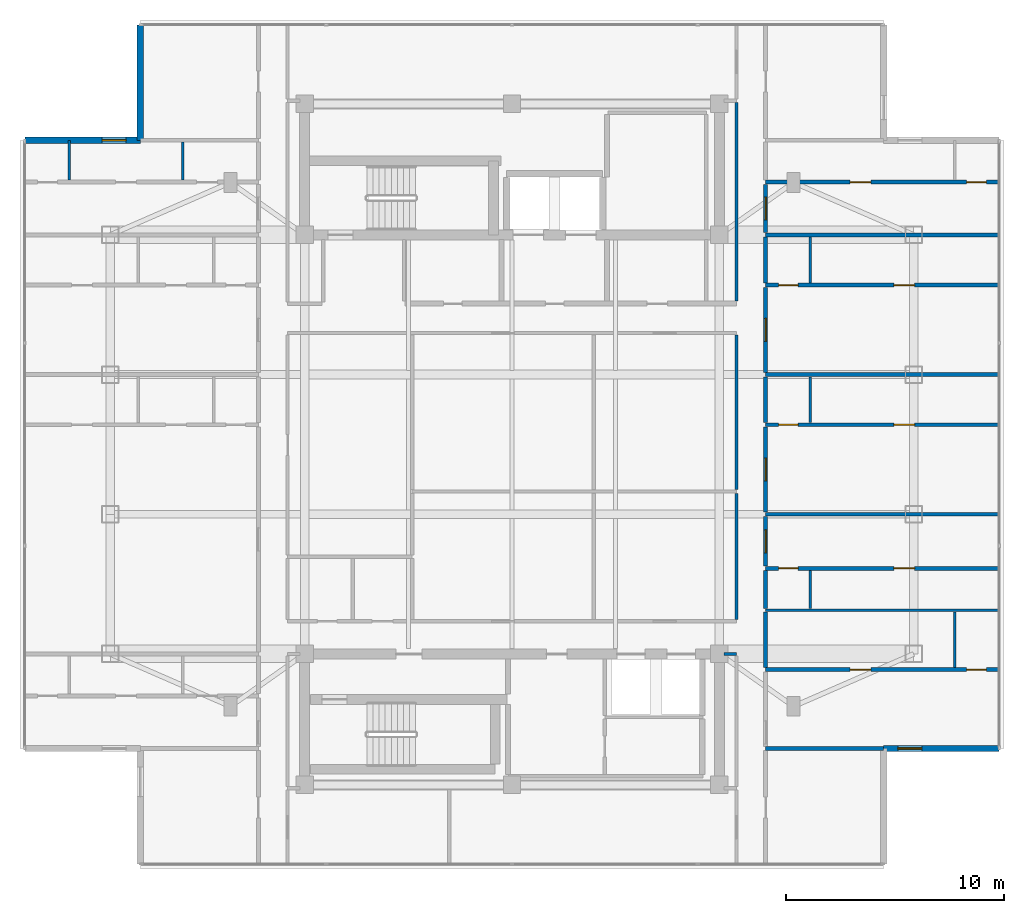
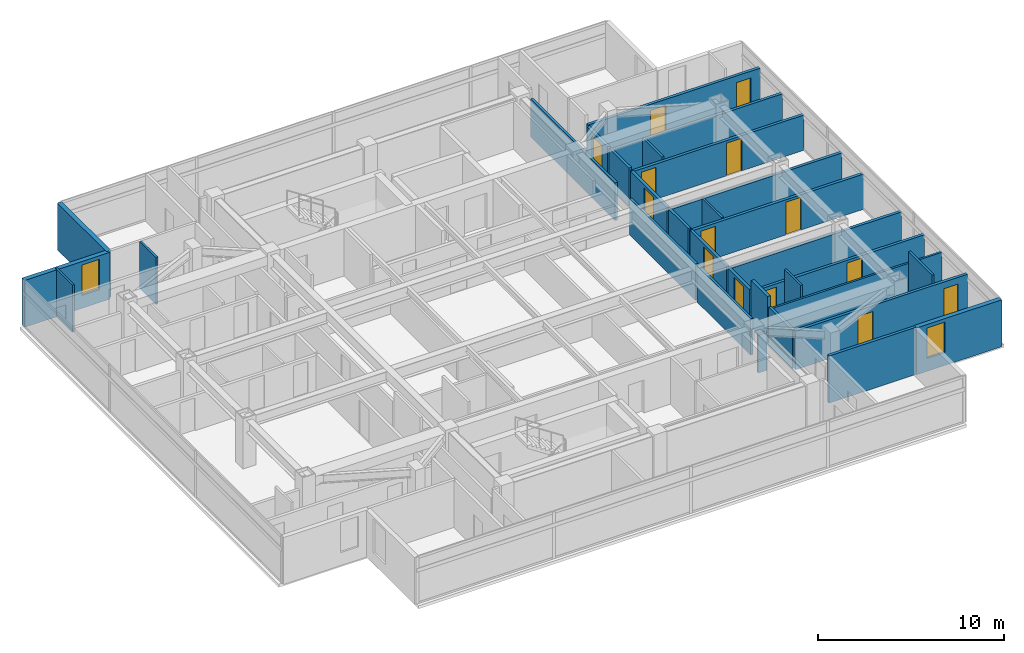
# One storey, part 10 of 14: 31 walls, 14 doors, 2 windows, 16 openings.
"""IFC4 building model written with IfcOpenShell, lengths in metres."""

from ifc_helpers import new_model, si_unit, direction, frame, frame_2d, origin, place, context, subcontext, project, spatial, rectangle, extrude, material, layer, layer_set, type_object, element, fill, save


model = new_model("IFC4")

# Units and contexts
model_context = context("Model", 3, precision=1e-05, world=origin(), true_north=direction((0.0, 1.0)))
body_context = subcontext(model_context, "Body", "Model", "MODEL_VIEW")
ifc_project = project(units=[si_unit("LENGTHUNIT", "METRE"), si_unit("AREAUNIT", "SQUARE_METRE"), si_unit("VOLUMEUNIT", "CUBIC_METRE"), si_unit("PLANEANGLEUNIT", "RADIAN"), si_unit("MASSUNIT", "GRAM", prefix="KILO")], contexts=[model_context])

# Site, building, storey
site_placement = place(None, origin())
site = spatial("IfcSite", under=ifc_project, at=site_placement, CompositionType="ELEMENT")
building_placement = place(site_placement, origin())
building = spatial("IfcBuilding", under=site, at=building_placement, Name="Mirazonda Arch Towers", CompositionType="ELEMENT")
storey_placement = place(building_placement, frame((0.0, 0.0, 245.800048828125)))
storey = spatial("IfcBuildingStorey", under=building, at=storey_placement, Name="L70", CompositionType="ELEMENT", Elevation=245.800048828125)

# Wall, opening, window
ifc_material_1 = material(Name="Precast Concrete C40/50", Category="concrete")
ifc_layer_1 = layer(ifc_material_1, 0.280029296875, Name="WALL-EXT-WALL-280")
ifc_layer_set_1 = layer_set([ifc_layer_1], Name="Precast Concrete C40/50")
wall_type_1 = type_object("IfcWallType", Name="WALL-EXT-WALL-280", PredefinedType="SOLIDWALL", material=ifc_layer_set_1)
wall_1_placement = place(storey_placement, frame((37.530029296875, 14.06591796875, 0.0), z_axis=(0.0, 0.0, 1.0), x_axis=(1.0, 0.0, 0.0)))
wall_1 = element("IfcWall", 1, at=wall_1_placement, inside=storey, type_object=wall_type_1, Name="L70 T1 Corner Notch Return Wall WL-L70-T1-CSE1", PredefinedType="SOLIDWALL", context=body_context, shape_type="SweptSolid", body=[
    extrude(rectangle(XDim=5.2900390625, YDim=0.280029296875, at=frame_2d((2.64501953125, 0.0))), origin(), (0.0, 0.0, 1.0), 3.079833984375),
])
opening_1_placement = place(wall_1_placement, frame((0.64990234375, 0.0, 0.85009765625)))
opening_1 = element("IfcOpeningElement", 2, at=opening_1_placement, cuts=wall_1, Name="Opening WN-108", PredefinedType="OPENING", context=body_context, shape_type="SweptSolid", body=[
    extrude(rectangle(XDim=1.10009765625, YDim=2.0, at=frame_2d((0.550048828125, 1.0))), frame((0.0, 0.14990234375, 0.0), z_axis=(0.0, -1.0, 0.0), x_axis=(1.0, 0.0, 0.0)), (0.0, 0.0, 1.0), 0.300048828125),
])
ifc_material_2 = material(Name="Insulated Low-E Solar Glass", Category="glass")
window_type = type_object("IfcWindowType", Name="WIN-NOTCH-1100x2000", PartitioningType="SINGLE_PANEL", PredefinedType="WINDOW", material=ifc_material_2)
window_1_placement = place(opening_1_placement, origin())
window_1 = element("IfcWindow", 3, at=window_1_placement, inside=storey, type_object=window_type, Name="L70 Punched Facade Window WN-L70-T1-CSE1", OverallHeight=2.0, OverallWidth=1.10009765625, PartitioningType="SINGLE_PANEL", PredefinedType="WINDOW", context=body_context, shape_type="SweptSolid", body=[
    extrude(rectangle(XDim=1.10009765625, YDim=2.0, at=frame_2d((0.550048828125, 1.0))), frame((0.0, 0.030029296875, 0.0), z_axis=(0.0, -1.0, 0.0), x_axis=(1.0, 0.0, 0.0)), (0.0, 0.0, 1.0), 0.06005859375),
])
fill(opening_1, window_1)

wall_2_placement = place(storey_placement, frame((3.469970703125, 41.93408203125, 0.0), z_axis=(0.0, 0.0, 1.0), x_axis=(-1.0, 0.0, 0.0)))
wall_2 = element("IfcWall", 4, at=wall_2_placement, inside=storey, type_object=wall_type_1, Name="L70 T1 Corner Notch Return Wall WL-L70-T1-CNW1", PredefinedType="SOLIDWALL", context=body_context, shape_type="SweptSolid", body=[
    extrude(rectangle(XDim=5.2900390625, YDim=0.280029296875, at=frame_2d((2.64501953125, 0.0))), origin(), (0.0, 0.0, 1.0), 3.079833984375),
])
opening_2_placement = place(wall_2_placement, frame((0.64990234375, 0.0, 0.85009765625)))
opening_2 = element("IfcOpeningElement", 5, at=opening_2_placement, cuts=wall_2, Name="Opening WN-108", PredefinedType="OPENING", context=body_context, shape_type="SweptSolid", body=[
    extrude(rectangle(XDim=1.10009765625, YDim=2.0, at=frame_2d((0.550048828125, 1.0))), frame((0.0, 0.14990234375, 0.0), z_axis=(0.0, -1.0, 0.0), x_axis=(1.0, 0.0, 0.0)), (0.0, 0.0, 1.0), 0.300048828125),
])
window_2_placement = place(opening_2_placement, origin())
window_2 = element("IfcWindow", 6, at=window_2_placement, inside=storey, type_object=window_type, Name="L70 Punched Facade Window WN-L70-T1-CNW1", OverallHeight=2.0, OverallWidth=1.10009765625, PartitioningType="SINGLE_PANEL", PredefinedType="WINDOW", context=body_context, shape_type="SweptSolid", body=[
    extrude(rectangle(XDim=1.10009765625, YDim=2.0, at=frame_2d((0.550048828125, 1.0))), frame((0.0, 0.030029296875, 0.0), z_axis=(0.0, -1.0, 0.0), x_axis=(1.0, 0.0, 0.0)), (0.0, 0.0, 1.0), 0.06005859375),
])
fill(opening_2, window_2)

# Walls
wall_3_placement = place(storey_placement, frame((3.469970703125, 47.22412109375, 0.0), z_axis=(0.0, 0.0, 1.0), x_axis=(0.0, -1.0, 0.0)))
element("IfcWall", 7, at=wall_3_placement, inside=storey, type_object=wall_type_1, Name="L70 T1 Corner Notch Return Wall WL-L70-T1-CNW2", PredefinedType="SOLIDWALL", context=body_context, shape_type="SweptSolid", body=[
    extrude(rectangle(XDim=5.2900390625, YDim=0.280029296875, at=frame_2d((2.64501953125, 0.0))), origin(), (0.0, 0.0, 1.0), 3.079833984375),
])
ifc_material_3 = material(Name="Fire-Rated Gypsum Stud Partition")
ifc_layer_2 = layer(ifc_material_3, 0.14990234375, Name="WALL-PART-CORR-150")
ifc_layer_set_2 = layer_set([ifc_layer_2], Name="Fire-Rated Gypsum Stud Partition")
wall_type_2 = type_object("IfcWallType", Name="WALL-PART-CORR-150", PredefinedType="PARTITIONING", material=ifc_layer_set_2)
wall_4_placement = place(storey_placement, frame((30.219970703125, 18.39990234375, 0.0), z_axis=(0.0, 0.0, 1.0), x_axis=(1.0, 0.0, 0.0)))
element("IfcWall", 8, at=wall_4_placement, inside=storey, type_object=wall_type_2, Name="L70 Interior Partition 013", PredefinedType="PARTITIONING", context=body_context, shape_type="SweptSolid", body=[
    extrude(rectangle(XDim=0.56005859375, YDim=0.14990234375, at=frame_2d((0.280029296875, 0.0))), origin(), (0.0, 0.0, 1.0), 2.491943359375),
])
wall_5_placement = place(storey_placement, frame((30.780029296875, 19.985107421875, 0.0), z_axis=(0.0, 0.0, 1.0), x_axis=(0.0, 1.0, 0.0)))
element("IfcWall", 9, at=wall_5_placement, inside=storey, type_object=wall_type_2, Name="L70 Interior Partition 088", PredefinedType="PARTITIONING", context=body_context, shape_type="SweptSolid", body=[
    extrude(rectangle(XDim=5.769775390625, YDim=0.14990234375, at=frame_2d((2.884765625, 0.0))), origin(), (0.0, 0.0, 1.0), 2.39599609375),
])
wall_6_placement = place(storey_placement, frame((30.780029296875, 25.925048828125, 0.0), z_axis=(0.0, 0.0, 1.0), x_axis=(0.0, 1.0, 0.0)))
element("IfcWall", 10, at=wall_6_placement, inside=storey, type_object=wall_type_2, Name="L70 Interior Partition 089", PredefinedType="PARTITIONING", context=body_context, shape_type="SweptSolid", body=[
    extrude(rectangle(XDim=7.08984375, YDim=0.14990234375, at=frame_2d((3.544921875, 0.0))), origin(), (0.0, 0.0, 1.0), 2.39599609375),
])
wall_7_placement = place(storey_placement, frame((30.780029296875, 34.570068359375, 0.0), z_axis=(0.0, 0.0, 1.0), x_axis=(0.0, 1.0, 0.0)))
element("IfcWall", 11, at=wall_7_placement, inside=storey, type_object=wall_type_2, Name="L70 Interior Partition 090", PredefinedType="PARTITIONING", context=body_context, shape_type="SweptSolid", body=[
    extrude(rectangle(XDim=9.094970703125, YDim=0.14990234375, at=frame_2d((4.54736328125, 0.0))), origin(), (0.0, 0.0, 1.0), 2.491943359375),
])
ifc_material_4 = material(Name="Fire-Rated Gypsum Twin-Stud Assembly")
ifc_layer_3 = layer(ifc_material_4, 0.179931640625, Name="WALL-PART-DEMISE-180")
ifc_layer_set_3 = layer_set([ifc_layer_3], Name="Fire-Rated Gypsum Twin-Stud Assembly")
wall_type_3 = type_object("IfcWallType", Name="WALL-PART-DEMISE-180", PredefinedType="PARTITIONING", material=ifc_layer_set_3)
wall_8_placement = place(storey_placement, frame((32.1201171875, 14.06591796875, 0.0), z_axis=(0.0, 0.0, 1.0), x_axis=(1.0, 0.0, 0.0)))
element("IfcWall", 12, at=wall_8_placement, inside=storey, type_object=wall_type_3, Name="L70 Interior Partition 006", PredefinedType="PARTITIONING", context=body_context, shape_type="SweptSolid", body=[
    extrude(rectangle(XDim=5.389892578125, YDim=0.179931640625, at=frame_2d((2.69482421875, 0.0))), origin(), (0.0, 0.0, 1.0), 3.099853515625),
])

# Wall, openings, doors
wall_9_placement = place(storey_placement, frame((32.1201171875, 17.679931640625, 0.0), z_axis=(0.0, 0.0, 1.0), x_axis=(1.0, 0.0, 0.0)))
wall_9 = element("IfcWall", 13, at=wall_9_placement, inside=storey, type_object=wall_type_3, Name="L70 Interior Partition 010", PredefinedType="PARTITIONING", context=body_context, shape_type="SweptSolid", body=[
    extrude(rectangle(XDim=10.699951171875, YDim=0.179931640625, at=frame_2d((5.35009765625, 0.0))), origin(), (0.0, 0.0, 1.0), 2.54296875),
])
opening_3_placement = place(wall_9_placement, frame((3.875, 0.0, 0.0)))
opening_3 = element("IfcOpeningElement", 14, at=opening_3_placement, cuts=wall_9, Name="Opening DR-104", PredefinedType="OPENING", context=body_context, shape_type="SweptSolid", body=[
    extrude(rectangle(XDim=0.949951171875, YDim=2.14990234375, at=frame_2d((0.47509765625, 1.074951171875))), frame((0.0, 0.099853515625, 0.0), z_axis=(0.0, -1.0, 0.0), x_axis=(1.0, 0.0, 0.0)), (0.0, 0.0, 1.0), 0.199951171875),
])
opening_4_placement = place(wall_9_placement, frame((9.2099609375, 0.0, 0.0)))
opening_4 = element("IfcOpeningElement", 15, at=opening_4_placement, cuts=wall_9, Name="Opening DR-120", PredefinedType="OPENING", context=body_context, shape_type="SweptSolid", body=[
    extrude(rectangle(XDim=0.89990234375, YDim=2.10009765625, at=frame_2d((0.449951171875, 1.050048828125))), frame((0.0, 0.099853515625, 0.0), z_axis=(0.0, -1.0, 0.0), x_axis=(1.0, 0.0, 0.0)), (0.0, 0.0, 1.0), 0.199951171875),
])
ifc_material_5 = material(Name="Architectural Brushed Steel S355", Category="steel")
door_type_1 = type_object("IfcDoorType", Name="DOOR-ROOM-950", OperationType="NOTDEFINED", PredefinedType="DOOR", material=ifc_material_5)
door_1_placement = place(opening_3_placement, origin())
door_1 = element("IfcDoor", 16, at=door_1_placement, inside=storey, type_object=door_type_1, Name="L70 Studio 1 Galley Kitchen Door", OperationType="SINGLE_SWING_RIGHT", OverallHeight=2.14990234375, OverallWidth=0.949951171875, PredefinedType="DOOR", context=body_context, shape_type="SweptSolid", body=[
    extrude(rectangle(XDim=0.949951171875, YDim=2.14990234375, at=frame_2d((0.47509765625, 1.074951171875))), frame((0.0, 0.02490234375, 0.0), z_axis=(0.0, -1.0, 0.0), x_axis=(1.0, 0.0, 0.0)), (0.0, 0.0, 1.0), 0.050048828125),
])
fill(opening_3, door_1)
door_type_2 = type_object("IfcDoorType", Name="DOOR-WC-900", OperationType="NOTDEFINED", PredefinedType="DOOR", material=ifc_material_5)
door_2_placement = place(opening_4_placement, origin())
door_2 = element("IfcDoor", 17, at=door_2_placement, inside=storey, type_object=door_type_2, Name="L70 Studio 1 Bathroom Door", OperationType="SINGLE_SWING_LEFT", OverallHeight=2.10009765625, OverallWidth=0.89990234375, PredefinedType="DOOR", context=body_context, shape_type="SweptSolid", body=[
    extrude(rectangle(XDim=0.89990234375, YDim=2.10009765625, at=frame_2d((0.449951171875, 1.050048828125))), frame((0.0, 0.02490234375, 0.0), z_axis=(0.0, -1.0, 0.0), x_axis=(1.0, 0.0, 0.0)), (0.0, 0.0, 1.0), 0.050048828125),
])
fill(opening_4, door_2)

wall_10_placement = place(storey_placement, frame((32.1201171875, 22.320068359375, 0.0), z_axis=(0.0, 0.0, 1.0), x_axis=(1.0, 0.0, 0.0)))
wall_10 = element("IfcWall", 18, at=wall_10_placement, inside=storey, type_object=wall_type_3, Name="L70 Interior Partition 016", PredefinedType="PARTITIONING", context=body_context, shape_type="SweptSolid", body=[
    extrude(rectangle(XDim=10.699951171875, YDim=0.179931640625, at=frame_2d((5.35009765625, 0.0))), origin(), (0.0, 0.0, 1.0), 2.31884765625),
])
opening_5_placement = place(wall_10_placement, frame((5.875, 0.0, 0.0)))
opening_5 = element("IfcOpeningElement", 19, at=opening_5_placement, cuts=wall_10, Name="Opening DR-104", PredefinedType="OPENING", context=body_context, shape_type="SweptSolid", body=[
    extrude(rectangle(XDim=0.949951171875, YDim=2.14990234375, at=frame_2d((0.47509765625, 1.074951171875))), frame((0.0, 0.099853515625, 0.0), z_axis=(0.0, -1.0, 0.0), x_axis=(1.0, 0.0, 0.0)), (0.0, 0.0, 1.0), 0.199951171875),
])
opening_6_placement = place(wall_10_placement, frame((0.590087890625, 0.0, 0.0)))
opening_6 = element("IfcOpeningElement", 20, at=opening_6_placement, cuts=wall_10, Name="Opening DR-120", PredefinedType="OPENING", context=body_context, shape_type="SweptSolid", body=[
    extrude(rectangle(XDim=0.89990234375, YDim=2.10009765625, at=frame_2d((0.449951171875, 1.050048828125))), frame((0.0, 0.099853515625, 0.0), z_axis=(0.0, -1.0, 0.0), x_axis=(1.0, 0.0, 0.0)), (0.0, 0.0, 1.0), 0.199951171875),
])
door_3_placement = place(opening_5_placement, origin())
door_3 = element("IfcDoor", 21, at=door_3_placement, inside=storey, type_object=door_type_1, Name="L70 Studio 2 Galley Kitchen Door", OperationType="SINGLE_SWING_LEFT", OverallHeight=2.14990234375, OverallWidth=0.949951171875, PredefinedType="DOOR", context=body_context, shape_type="SweptSolid", body=[
    extrude(rectangle(XDim=0.949951171875, YDim=2.14990234375, at=frame_2d((0.47509765625, 1.074951171875))), frame((0.0, 0.02490234375, 0.0), z_axis=(0.0, -1.0, 0.0), x_axis=(1.0, 0.0, 0.0)), (0.0, 0.0, 1.0), 0.050048828125),
])
fill(opening_5, door_3)
door_4_placement = place(opening_6_placement, origin())
door_4 = element("IfcDoor", 22, at=door_4_placement, inside=storey, type_object=door_type_2, Name="L70 Studio 2 Bathroom Door", OperationType="SINGLE_SWING_RIGHT", OverallHeight=2.10009765625, OverallWidth=0.89990234375, PredefinedType="DOOR", context=body_context, shape_type="SweptSolid", body=[
    extrude(rectangle(XDim=0.89990234375, YDim=2.10009765625, at=frame_2d((0.449951171875, 1.050048828125))), frame((0.0, 0.02490234375, 0.0), z_axis=(0.0, -1.0, 0.0), x_axis=(1.0, 0.0, 0.0)), (0.0, 0.0, 1.0), 0.050048828125),
])
fill(opening_6, door_4)

# Wall
wall_11_placement = place(storey_placement, frame((32.1201171875, 24.800048828125, 0.0), z_axis=(0.0, 0.0, 1.0), x_axis=(1.0, 0.0, 0.0)))
element("IfcWall", 23, at=wall_11_placement, inside=storey, type_object=wall_type_3, Name="L70 Interior Partition 018", PredefinedType="PARTITIONING", context=body_context, shape_type="SweptSolid", body=[
    extrude(rectangle(XDim=10.699951171875, YDim=0.179931640625, at=frame_2d((5.35009765625, 0.0))), origin(), (0.0, 0.0, 1.0), 2.31884765625),
])

# Wall, openings, doors
wall_12_placement = place(storey_placement, frame((32.1201171875, 28.89990234375, 0.0), z_axis=(0.0, 0.0, 1.0), x_axis=(1.0, 0.0, 0.0)))
wall_12 = element("IfcWall", 24, at=wall_12_placement, inside=storey, type_object=wall_type_3, Name="L70 Interior Partition 021", PredefinedType="PARTITIONING", context=body_context, shape_type="SweptSolid", body=[
    extrude(rectangle(XDim=10.699951171875, YDim=0.179931640625, at=frame_2d((5.35009765625, 0.0))), origin(), (0.0, 0.0, 1.0), 2.31884765625),
])
opening_7_placement = place(wall_12_placement, frame((5.875, 0.0, 0.0)))
opening_7 = element("IfcOpeningElement", 25, at=opening_7_placement, cuts=wall_12, Name="Opening DR-104", PredefinedType="OPENING", context=body_context, shape_type="SweptSolid", body=[
    extrude(rectangle(XDim=0.949951171875, YDim=2.14990234375, at=frame_2d((0.47509765625, 1.074951171875))), frame((0.0, 0.099853515625, 0.0), z_axis=(0.0, -1.0, 0.0), x_axis=(1.0, 0.0, 0.0)), (0.0, 0.0, 1.0), 0.199951171875),
])
opening_8_placement = place(wall_12_placement, frame((0.590087890625, 0.0, 0.0)))
opening_8 = element("IfcOpeningElement", 26, at=opening_8_placement, cuts=wall_12, Name="Opening DR-120", PredefinedType="OPENING", context=body_context, shape_type="SweptSolid", body=[
    extrude(rectangle(XDim=0.89990234375, YDim=2.10009765625, at=frame_2d((0.449951171875, 1.050048828125))), frame((0.0, 0.099853515625, 0.0), z_axis=(0.0, -1.0, 0.0), x_axis=(1.0, 0.0, 0.0)), (0.0, 0.0, 1.0), 0.199951171875),
])
door_5_placement = place(opening_7_placement, origin())
door_5 = element("IfcDoor", 27, at=door_5_placement, inside=storey, type_object=door_type_1, Name="L70 Studio 3 Galley Kitchen Door", OperationType="SINGLE_SWING_RIGHT", OverallHeight=2.14990234375, OverallWidth=0.949951171875, PredefinedType="DOOR", context=body_context, shape_type="SweptSolid", body=[
    extrude(rectangle(XDim=0.949951171875, YDim=2.14990234375, at=frame_2d((0.47509765625, 1.074951171875))), frame((0.0, 0.02490234375, 0.0), z_axis=(0.0, -1.0, 0.0), x_axis=(1.0, 0.0, 0.0)), (0.0, 0.0, 1.0), 0.050048828125),
])
fill(opening_7, door_5)
door_6_placement = place(opening_8_placement, origin())
door_6 = element("IfcDoor", 28, at=door_6_placement, inside=storey, type_object=door_type_2, Name="L70 Studio 3 Bathroom Door", OperationType="SINGLE_SWING_LEFT", OverallHeight=2.10009765625, OverallWidth=0.89990234375, PredefinedType="DOOR", context=body_context, shape_type="SweptSolid", body=[
    extrude(rectangle(XDim=0.89990234375, YDim=2.10009765625, at=frame_2d((0.449951171875, 1.050048828125))), frame((0.0, 0.02490234375, 0.0), z_axis=(0.0, -1.0, 0.0), x_axis=(1.0, 0.0, 0.0)), (0.0, 0.0, 1.0), 0.050048828125),
])
fill(opening_8, door_6)

# Wall
wall_13_placement = place(storey_placement, frame((32.1201171875, 31.199951171875, 0.0), z_axis=(0.0, 0.0, 1.0), x_axis=(1.0, 0.0, 0.0)))
element("IfcWall", 29, at=wall_13_placement, inside=storey, type_object=wall_type_3, Name="L70 Interior Partition 023", PredefinedType="PARTITIONING", context=body_context, shape_type="SweptSolid", body=[
    extrude(rectangle(XDim=10.699951171875, YDim=0.179931640625, at=frame_2d((5.35009765625, 0.0))), origin(), (0.0, 0.0, 1.0), 2.31884765625),
])

# Wall, openings, doors
wall_14_placement = place(storey_placement, frame((32.1201171875, 35.300048828125, 0.0), z_axis=(0.0, 0.0, 1.0), x_axis=(1.0, 0.0, 0.0)))
wall_14 = element("IfcWall", 30, at=wall_14_placement, inside=storey, type_object=wall_type_3, Name="L70 Interior Partition 028", PredefinedType="PARTITIONING", context=body_context, shape_type="SweptSolid", body=[
    extrude(rectangle(XDim=10.699951171875, YDim=0.179931640625, at=frame_2d((5.35009765625, 0.0))), origin(), (0.0, 0.0, 1.0), 2.31884765625),
])
opening_9_placement = place(wall_14_placement, frame((5.875, 0.0, 0.0)))
opening_9 = element("IfcOpeningElement", 31, at=opening_9_placement, cuts=wall_14, Name="Opening DR-104", PredefinedType="OPENING", context=body_context, shape_type="SweptSolid", body=[
    extrude(rectangle(XDim=0.949951171875, YDim=2.14990234375, at=frame_2d((0.47509765625, 1.074951171875))), frame((0.0, 0.099853515625, 0.0), z_axis=(0.0, -1.0, 0.0), x_axis=(1.0, 0.0, 0.0)), (0.0, 0.0, 1.0), 0.199951171875),
])
opening_10_placement = place(wall_14_placement, frame((0.590087890625, 0.0, 0.0)))
opening_10 = element("IfcOpeningElement", 32, at=opening_10_placement, cuts=wall_14, Name="Opening DR-120", PredefinedType="OPENING", context=body_context, shape_type="SweptSolid", body=[
    extrude(rectangle(XDim=0.89990234375, YDim=2.10009765625, at=frame_2d((0.449951171875, 1.050048828125))), frame((0.0, 0.099853515625, 0.0), z_axis=(0.0, -1.0, 0.0), x_axis=(1.0, 0.0, 0.0)), (0.0, 0.0, 1.0), 0.199951171875),
])
door_7_placement = place(opening_9_placement, origin())
door_7 = element("IfcDoor", 33, at=door_7_placement, inside=storey, type_object=door_type_1, Name="L70 Studio 4 Galley Kitchen Door", OperationType="SINGLE_SWING_LEFT", OverallHeight=2.14990234375, OverallWidth=0.949951171875, PredefinedType="DOOR", context=body_context, shape_type="SweptSolid", body=[
    extrude(rectangle(XDim=0.949951171875, YDim=2.14990234375, at=frame_2d((0.47509765625, 1.074951171875))), frame((0.0, 0.02490234375, 0.0), z_axis=(0.0, -1.0, 0.0), x_axis=(1.0, 0.0, 0.0)), (0.0, 0.0, 1.0), 0.050048828125),
])
fill(opening_9, door_7)
door_8_placement = place(opening_10_placement, origin())
door_8 = element("IfcDoor", 34, at=door_8_placement, inside=storey, type_object=door_type_2, Name="L70 Studio 4 Bathroom Door", OperationType="SINGLE_SWING_RIGHT", OverallHeight=2.10009765625, OverallWidth=0.89990234375, PredefinedType="DOOR", context=body_context, shape_type="SweptSolid", body=[
    extrude(rectangle(XDim=0.89990234375, YDim=2.10009765625, at=frame_2d((0.449951171875, 1.050048828125))), frame((0.0, 0.02490234375, 0.0), z_axis=(0.0, -1.0, 0.0), x_axis=(1.0, 0.0, 0.0)), (0.0, 0.0, 1.0), 0.050048828125),
])
fill(opening_10, door_8)

# Wall
wall_15_placement = place(storey_placement, frame((32.1201171875, 37.60009765625, 0.0), z_axis=(0.0, 0.0, 1.0), x_axis=(1.0, 0.0, 0.0)))
element("IfcWall", 35, at=wall_15_placement, inside=storey, type_object=wall_type_3, Name="L70 Interior Partition 030", PredefinedType="PARTITIONING", context=body_context, shape_type="SweptSolid", body=[
    extrude(rectangle(XDim=10.699951171875, YDim=0.179931640625, at=frame_2d((5.35009765625, 0.0))), origin(), (0.0, 0.0, 1.0), 2.31884765625),
])

# Wall, openings, doors
wall_16_placement = place(storey_placement, frame((32.1201171875, 40.013916015625, 0.0), z_axis=(0.0, 0.0, 1.0), x_axis=(1.0, 0.0, 0.0)))
wall_16 = element("IfcWall", 36, at=wall_16_placement, inside=storey, type_object=wall_type_3, Name="L70 Interior Partition 032", PredefinedType="PARTITIONING", context=body_context, shape_type="SweptSolid", body=[
    extrude(rectangle(XDim=10.699951171875, YDim=0.179931640625, at=frame_2d((5.35009765625, 0.0))), origin(), (0.0, 0.0, 1.0), 2.54296875),
])
opening_11_placement = place(wall_16_placement, frame((3.875, 0.0, 0.0)))
opening_11 = element("IfcOpeningElement", 37, at=opening_11_placement, cuts=wall_16, Name="Opening DR-104", PredefinedType="OPENING", context=body_context, shape_type="SweptSolid", body=[
    extrude(rectangle(XDim=0.949951171875, YDim=2.14990234375, at=frame_2d((0.47509765625, 1.074951171875))), frame((0.0, 0.099853515625, 0.0), z_axis=(0.0, -1.0, 0.0), x_axis=(1.0, 0.0, 0.0)), (0.0, 0.0, 1.0), 0.199951171875),
])
opening_12_placement = place(wall_16_placement, frame((9.2099609375, 0.0, 0.0)))
opening_12 = element("IfcOpeningElement", 38, at=opening_12_placement, cuts=wall_16, Name="Opening DR-120", PredefinedType="OPENING", context=body_context, shape_type="SweptSolid", body=[
    extrude(rectangle(XDim=0.89990234375, YDim=2.10009765625, at=frame_2d((0.449951171875, 1.050048828125))), frame((0.0, 0.099853515625, 0.0), z_axis=(0.0, -1.0, 0.0), x_axis=(1.0, 0.0, 0.0)), (0.0, 0.0, 1.0), 0.199951171875),
])
door_9_placement = place(opening_11_placement, origin())
door_9 = element("IfcDoor", 39, at=door_9_placement, inside=storey, type_object=door_type_1, Name="L70 Studio 5 Galley Kitchen Door", OperationType="SINGLE_SWING_RIGHT", OverallHeight=2.14990234375, OverallWidth=0.949951171875, PredefinedType="DOOR", context=body_context, shape_type="SweptSolid", body=[
    extrude(rectangle(XDim=0.949951171875, YDim=2.14990234375, at=frame_2d((0.47509765625, 1.074951171875))), frame((0.0, 0.02490234375, 0.0), z_axis=(0.0, -1.0, 0.0), x_axis=(1.0, 0.0, 0.0)), (0.0, 0.0, 1.0), 0.050048828125),
])
fill(opening_11, door_9)
door_10_placement = place(opening_12_placement, origin())
door_10 = element("IfcDoor", 40, at=door_10_placement, inside=storey, type_object=door_type_2, Name="L70 Studio 5 Bathroom Door", OperationType="SINGLE_SWING_LEFT", OverallHeight=2.10009765625, OverallWidth=0.89990234375, PredefinedType="DOOR", context=body_context, shape_type="SweptSolid", body=[
    extrude(rectangle(XDim=0.89990234375, YDim=2.10009765625, at=frame_2d((0.449951171875, 1.050048828125))), frame((0.0, 0.02490234375, 0.0), z_axis=(0.0, -1.0, 0.0), x_axis=(1.0, 0.0, 0.0)), (0.0, 0.0, 1.0), 0.050048828125),
])
fill(opening_12, door_10)

# Walls
wall_17_placement = place(storey_placement, frame((32.1201171875, 17.780029296875, 0.0), z_axis=(0.0, 0.0, 1.0), x_axis=(0.0, 1.0, 0.0)))
element("IfcWall", 41, at=wall_17_placement, inside=storey, type_object=wall_type_3, Name="L70 Interior Partition 094", PredefinedType="PARTITIONING", context=body_context, shape_type="SweptSolid", body=[
    extrude(rectangle(XDim=2.54736328125, YDim=0.179931640625, at=frame_2d((1.273681640625, 0.0))), origin(), (0.0, 0.0, 1.0), 2.491943359375),
])
wall_18_placement = place(storey_placement, frame((32.1201171875, 20.472412109375, 0.0), z_axis=(0.0, 0.0, 1.0), x_axis=(0.0, 1.0, 0.0)))
element("IfcWall", 42, at=wall_18_placement, inside=storey, type_object=wall_type_3, Name="L70 Interior Partition 095", PredefinedType="PARTITIONING", context=body_context, shape_type="SweptSolid", body=[
    extrude(rectangle(XDim=1.74755859375, YDim=0.179931640625, at=frame_2d((0.873779296875, 0.0))), origin(), (0.0, 0.0, 1.0), 3.099853515625),
])

# Wall, opening, door
wall_19_placement = place(storey_placement, frame((32.1201171875, 22.419921875, 0.0), z_axis=(0.0, 0.0, 1.0), x_axis=(0.0, 1.0, 0.0)))
wall_19 = element("IfcWall", 43, at=wall_19_placement, inside=storey, type_object=wall_type_3, Name="L70 Interior Partition 096", PredefinedType="PARTITIONING", context=body_context, shape_type="SweptSolid", body=[
    extrude(rectangle(XDim=2.280029296875, YDim=0.179931640625, at=frame_2d((1.14013671875, 0.0))), origin(), (0.0, 0.0, 1.0), 2.39599609375),
])
opening_13_placement = place(wall_19_placement, frame((0.614990234375, 0.0, 0.0)))
opening_13 = element("IfcOpeningElement", 44, at=opening_13_placement, cuts=wall_19, Name="Opening DR-121", PredefinedType="OPENING", context=body_context, shape_type="SweptSolid", body=[
    extrude(rectangle(XDim=1.050048828125, YDim=2.199951171875, at=frame_2d((0.52490234375, 1.10009765625))), frame((0.0, 0.099853515625, 0.0), z_axis=(0.0, -1.0, 0.0), x_axis=(1.0, 0.0, 0.0)), (0.0, 0.0, 1.0), 0.199951171875),
])
door_type_3 = type_object("IfcDoorType", Name="DOOR-SUITE-FD60-1050", OperationType="NOTDEFINED", PredefinedType="DOOR", material=ifc_material_5)
door_11_placement = place(opening_13_placement, origin())
door_11 = element("IfcDoor", 45, at=door_11_placement, inside=storey, type_object=door_type_3, Name="L70 Studio Apartment 2 Living Salon Door", OperationType="SINGLE_SWING_RIGHT", OverallHeight=2.199951171875, OverallWidth=1.050048828125, PredefinedType="DOOR", context=body_context, shape_type="SweptSolid", body=[
    extrude(rectangle(XDim=1.050048828125, YDim=2.199951171875, at=frame_2d((0.52490234375, 1.10009765625))), frame((0.0, 0.02490234375, 0.0), z_axis=(0.0, -1.0, 0.0), x_axis=(1.0, 0.0, 0.0)), (0.0, 0.0, 1.0), 0.050048828125),
])
fill(opening_13, door_11)

wall_20_placement = place(storey_placement, frame((32.1201171875, 24.89990234375, 0.0), z_axis=(0.0, 0.0, 1.0), x_axis=(0.0, 1.0, 0.0)))
wall_20 = element("IfcWall", 46, at=wall_20_placement, inside=storey, type_object=wall_type_3, Name="L70 Interior Partition 097", PredefinedType="PARTITIONING", context=body_context, shape_type="SweptSolid", body=[
    extrude(rectangle(XDim=3.900146484375, YDim=0.179931640625, at=frame_2d((1.9501953125, 0.0))), origin(), (0.0, 0.0, 1.0), 2.39599609375),
])
opening_14_placement = place(wall_20_placement, frame((1.425048828125, 0.0, 0.0)))
opening_14 = element("IfcOpeningElement", 47, at=opening_14_placement, cuts=wall_20, Name="Opening DR-121", PredefinedType="OPENING", context=body_context, shape_type="SweptSolid", body=[
    extrude(rectangle(XDim=1.050048828125, YDim=2.199951171875, at=frame_2d((0.52490234375, 1.10009765625))), frame((0.0, 0.099853515625, 0.0), z_axis=(0.0, -1.0, 0.0), x_axis=(1.0, 0.0, 0.0)), (0.0, 0.0, 1.0), 0.199951171875),
])
door_12_placement = place(opening_14_placement, origin())
door_12 = element("IfcDoor", 48, at=door_12_placement, inside=storey, type_object=door_type_3, Name="L70 Studio Apartment 3 Living Salon Door", OperationType="SINGLE_SWING_LEFT", OverallHeight=2.199951171875, OverallWidth=1.050048828125, PredefinedType="DOOR", context=body_context, shape_type="SweptSolid", body=[
    extrude(rectangle(XDim=1.050048828125, YDim=2.199951171875, at=frame_2d((0.52490234375, 1.10009765625))), frame((0.0, 0.02490234375, 0.0), z_axis=(0.0, -1.0, 0.0), x_axis=(1.0, 0.0, 0.0)), (0.0, 0.0, 1.0), 0.050048828125),
])
fill(opening_14, door_12)

# Wall
wall_21_placement = place(storey_placement, frame((32.1201171875, 29.0, 0.0), z_axis=(0.0, 0.0, 1.0), x_axis=(0.0, 1.0, 0.0)))
element("IfcWall", 49, at=wall_21_placement, inside=storey, type_object=wall_type_3, Name="L70 Interior Partition 098", PredefinedType="PARTITIONING", context=body_context, shape_type="SweptSolid", body=[
    extrude(rectangle(XDim=2.10009765625, YDim=0.179931640625, at=frame_2d((1.050048828125, 0.0))), origin(), (0.0, 0.0, 1.0), 2.39599609375),
])

# Wall, opening, door
wall_22_placement = place(storey_placement, frame((32.1201171875, 31.300048828125, 0.0), z_axis=(0.0, 0.0, 1.0), x_axis=(0.0, 1.0, 0.0)))
wall_22 = element("IfcWall", 50, at=wall_22_placement, inside=storey, type_object=wall_type_3, Name="L70 Interior Partition 099", PredefinedType="PARTITIONING", context=body_context, shape_type="SweptSolid", body=[
    extrude(rectangle(XDim=3.89990234375, YDim=0.179931640625, at=frame_2d((1.949951171875, 0.0))), origin(), (0.0, 0.0, 1.0), 2.39599609375),
])
opening_15_placement = place(wall_22_placement, frame((1.425048828125, 0.0, 0.0)))
opening_15 = element("IfcOpeningElement", 51, at=opening_15_placement, cuts=wall_22, Name="Opening DR-121", PredefinedType="OPENING", context=body_context, shape_type="SweptSolid", body=[
    extrude(rectangle(XDim=1.050048828125, YDim=2.199951171875, at=frame_2d((0.52490234375, 1.10009765625))), frame((0.0, 0.099853515625, 0.0), z_axis=(0.0, -1.0, 0.0), x_axis=(1.0, 0.0, 0.0)), (0.0, 0.0, 1.0), 0.199951171875),
])
door_13_placement = place(opening_15_placement, origin())
door_13 = element("IfcDoor", 52, at=door_13_placement, inside=storey, type_object=door_type_3, Name="L70 Studio Apartment 4 Living Salon Door", OperationType="SINGLE_SWING_RIGHT", OverallHeight=2.199951171875, OverallWidth=1.050048828125, PredefinedType="DOOR", context=body_context, shape_type="SweptSolid", body=[
    extrude(rectangle(XDim=1.050048828125, YDim=2.199951171875, at=frame_2d((0.52490234375, 1.10009765625))), frame((0.0, 0.02490234375, 0.0), z_axis=(0.0, -1.0, 0.0), x_axis=(1.0, 0.0, 0.0)), (0.0, 0.0, 1.0), 0.050048828125),
])
fill(opening_15, door_13)

# Wall
wall_23_placement = place(storey_placement, frame((32.1201171875, 35.39990234375, 0.0), z_axis=(0.0, 0.0, 1.0), x_axis=(0.0, 1.0, 0.0)))
element("IfcWall", 53, at=wall_23_placement, inside=storey, type_object=wall_type_3, Name="L70 Interior Partition 100", PredefinedType="PARTITIONING", context=body_context, shape_type="SweptSolid", body=[
    extrude(rectangle(XDim=2.10009765625, YDim=0.179931640625, at=frame_2d((1.050048828125, 0.0))), origin(), (0.0, 0.0, 1.0), 2.491943359375),
])

# Wall, opening, door
wall_24_placement = place(storey_placement, frame((32.1201171875, 37.699951171875, 0.0), z_axis=(0.0, 0.0, 1.0), x_axis=(0.0, 1.0, 0.0)))
wall_24 = element("IfcWall", 54, at=wall_24_placement, inside=storey, type_object=wall_type_3, Name="L70 Interior Partition 101", PredefinedType="PARTITIONING", context=body_context, shape_type="SweptSolid", body=[
    extrude(rectangle(XDim=2.214111328125, YDim=0.179931640625, at=frame_2d((1.10693359375, 0.0))), origin(), (0.0, 0.0, 1.0), 2.491943359375),
])
opening_16_placement = place(wall_24_placement, frame((0.58203125, 0.0, 0.0)))
opening_16 = element("IfcOpeningElement", 55, at=opening_16_placement, cuts=wall_24, Name="Opening DR-121", PredefinedType="OPENING", context=body_context, shape_type="SweptSolid", body=[
    extrude(rectangle(XDim=1.050048828125, YDim=2.199951171875, at=frame_2d((0.52490234375, 1.10009765625))), frame((0.0, 0.099853515625, 0.0), z_axis=(0.0, -1.0, 0.0), x_axis=(1.0, 0.0, 0.0)), (0.0, 0.0, 1.0), 0.199951171875),
])
door_14_placement = place(opening_16_placement, origin())
door_14 = element("IfcDoor", 56, at=door_14_placement, inside=storey, type_object=door_type_3, Name="L70 Studio Apartment 5 Living Salon Door", OperationType="SINGLE_SWING_LEFT", OverallHeight=2.199951171875, OverallWidth=1.050048828125, PredefinedType="DOOR", context=body_context, shape_type="SweptSolid", body=[
    extrude(rectangle(XDim=1.050048828125, YDim=2.199951171875, at=frame_2d((0.52490234375, 1.10009765625))), frame((0.0, 0.02490234375, 0.0), z_axis=(0.0, -1.0, 0.0), x_axis=(1.0, 0.0, 0.0)), (0.0, 0.0, 1.0), 0.050048828125),
])
fill(opening_16, door_14)

# Walls
ifc_material_6 = material(Name="Acoustic Fire-Rated Gypsum Partition")
ifc_layer_4 = layer(ifc_material_6, 0.125, Name="WALL-PART-UNIT-125")
ifc_layer_set_4 = layer_set([ifc_layer_4], Name="Acoustic Fire-Rated Gypsum Partition")
wall_type_4 = type_object("IfcWallType", Name="WALL-PART-UNIT-125", PredefinedType="PARTITIONING", material=ifc_layer_set_4)
wall_25_placement = place(storey_placement, frame((32.1201171875, 20.39990234375, 0.0), z_axis=(0.0, 0.0, 1.0), x_axis=(1.0, 0.0, 0.0)))
element("IfcWall", 57, at=wall_25_placement, inside=storey, type_object=wall_type_4, Name="L70 Interior Partition 015", PredefinedType="PARTITIONING", context=body_context, shape_type="SweptSolid", body=[
    extrude(rectangle(XDim=10.699951171875, YDim=0.125, at=frame_2d((5.35009765625, 0.0))), origin(), (0.0, 0.0, 1.0), 2.31884765625),
])
wall_26_placement = place(storey_placement, frame((0.219970703125, 40.114013671875, 0.0), z_axis=(0.0, 0.0, 1.0), x_axis=(0.0, 1.0, 0.0)))
element("IfcWall", 58, at=wall_26_placement, inside=storey, type_object=wall_type_4, Name="L70 Interior Partition 040", PredefinedType="PARTITIONING", context=body_context, shape_type="SweptSolid", body=[
    extrude(rectangle(XDim=1.820068359375, YDim=0.125, at=frame_2d((0.91015625, 0.0))), origin(), (0.0, 0.0, 1.0), 3.099853515625),
])
wall_27_placement = place(storey_placement, frame((5.416015625, 40.114013671875, 0.0), z_axis=(0.0, 0.0, 1.0), x_axis=(0.0, 1.0, 0.0)))
element("IfcWall", 59, at=wall_27_placement, inside=storey, type_object=wall_type_4, Name="L70 Interior Partition 044", PredefinedType="PARTITIONING", context=body_context, shape_type="SweptSolid", body=[
    extrude(rectangle(XDim=1.735107421875, YDim=0.125, at=frame_2d((0.86767578125, 0.0))), origin(), (0.0, 0.0, 1.0), 3.099853515625),
])
wall_28_placement = place(storey_placement, frame((34.159912109375, 20.472412109375, 0.0), z_axis=(0.0, 0.0, 1.0), x_axis=(0.0, 1.0, 0.0)))
element("IfcWall", 60, at=wall_28_placement, inside=storey, type_object=wall_type_4, Name="L70 Interior Partition 104", PredefinedType="PARTITIONING", context=body_context, shape_type="SweptSolid", body=[
    extrude(rectangle(XDim=1.74755859375, YDim=0.125, at=frame_2d((0.873779296875, 0.0))), origin(), (0.0, 0.0, 1.0), 3.099853515625),
])
wall_29_placement = place(storey_placement, frame((34.159912109375, 29.0, 0.0), z_axis=(0.0, 0.0, 1.0), x_axis=(0.0, 1.0, 0.0)))
element("IfcWall", 61, at=wall_29_placement, inside=storey, type_object=wall_type_4, Name="L70 Interior Partition 105", PredefinedType="PARTITIONING", context=body_context, shape_type="SweptSolid", body=[
    extrude(rectangle(XDim=2.10009765625, YDim=0.125, at=frame_2d((1.050048828125, 0.0))), origin(), (0.0, 0.0, 1.0), 2.39599609375),
])
wall_30_placement = place(storey_placement, frame((34.159912109375, 35.39990234375, 0.0), z_axis=(0.0, 0.0, 1.0), x_axis=(0.0, 1.0, 0.0)))
element("IfcWall", 62, at=wall_30_placement, inside=storey, type_object=wall_type_4, Name="L70 Interior Partition 106", PredefinedType="PARTITIONING", context=body_context, shape_type="SweptSolid", body=[
    extrude(rectangle(XDim=2.10009765625, YDim=0.125, at=frame_2d((1.050048828125, 0.0))), origin(), (0.0, 0.0, 1.0), 2.491943359375),
])
wall_31_placement = place(storey_placement, frame((40.780029296875, 17.780029296875, 0.0), z_axis=(0.0, 0.0, 1.0), x_axis=(0.0, 1.0, 0.0)))
element("IfcWall", 63, at=wall_31_placement, inside=storey, type_object=wall_type_4, Name="L70 Interior Partition 107", PredefinedType="PARTITIONING", context=body_context, shape_type="SweptSolid", body=[
    extrude(rectangle(XDim=2.54736328125, YDim=0.125, at=frame_2d((1.273681640625, 0.0))), origin(), (0.0, 0.0, 1.0), 3.099853515625),
])

save(model, "model.ifc")
